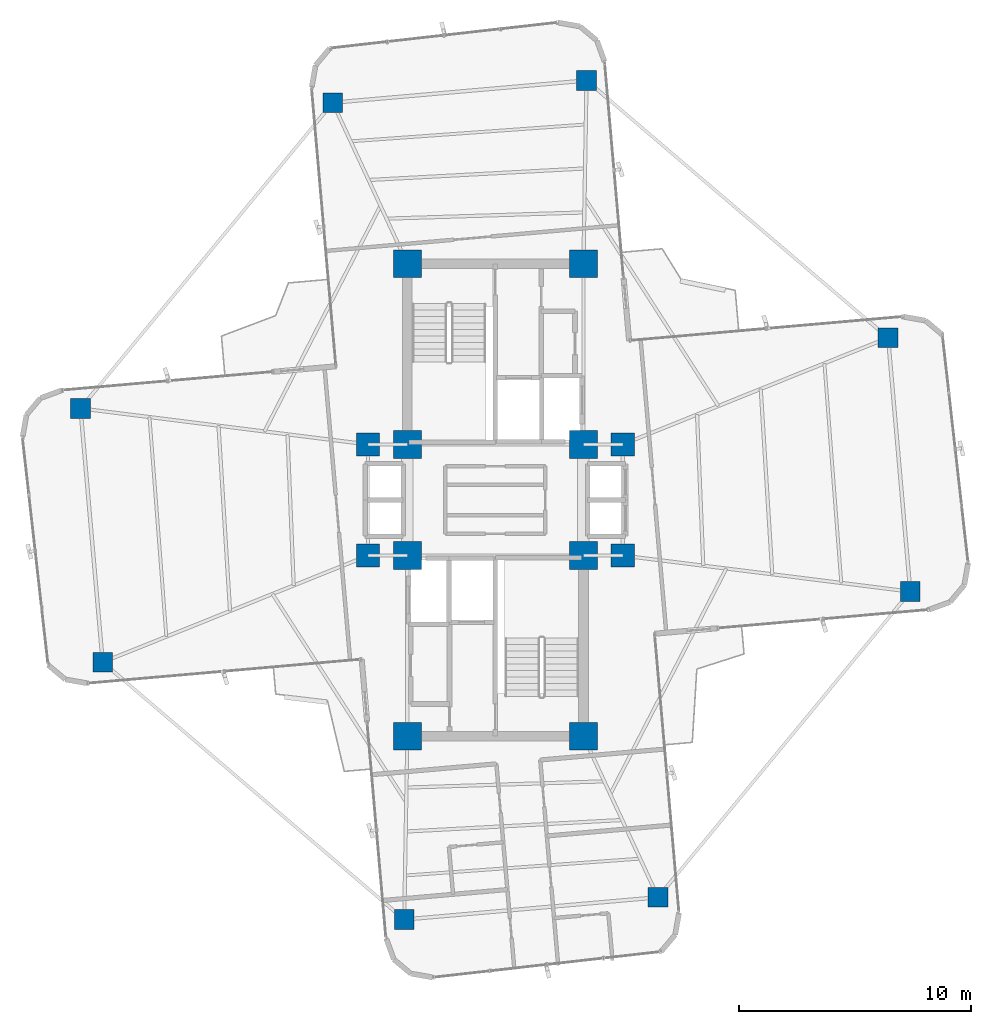
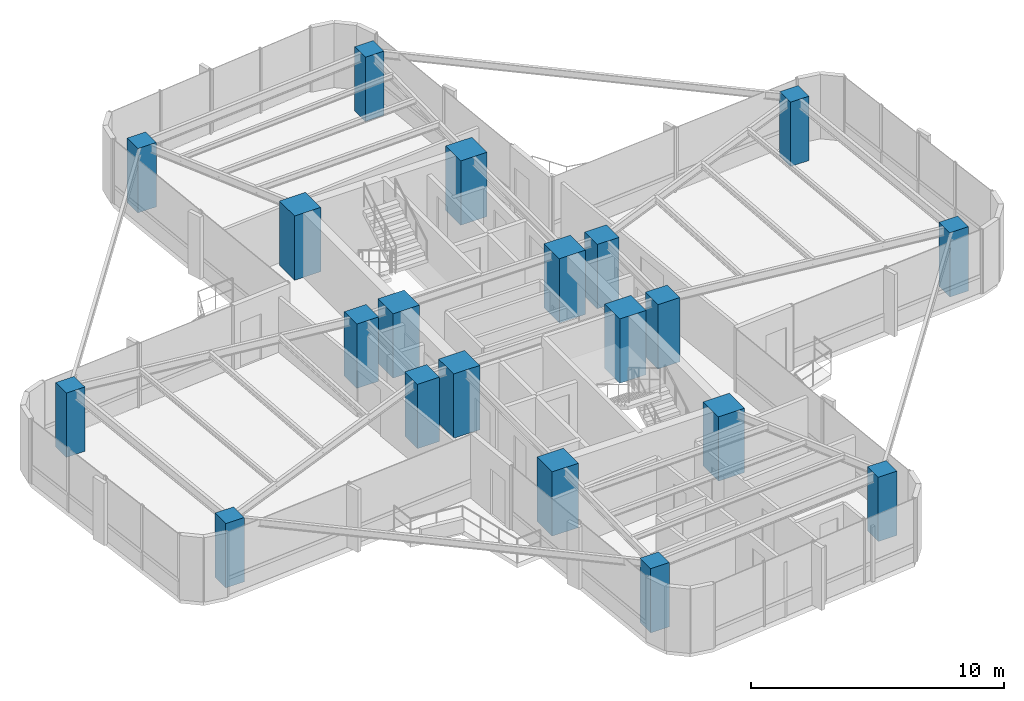
# One storey, part 1 of 24: 20 columns.
"""IFC4 building model written with IfcOpenShell, lengths in metres."""

from ifc_helpers import new_model, si_unit, direction, frame, origin, origin_2d, place, context, subcontext, project, spatial, rectangle, extrude, source, transform, mapped, material, material_profile, profile_set, type_object, element, save


model = new_model("IFC4")

# Units and contexts
model_context = context("Model", 3, precision=1e-05, world=origin(), true_north=direction((0.0, 1.0)))
body_context = subcontext(model_context, "Body", "Model", "MODEL_VIEW")
ifc_project = project(units=[si_unit("LENGTHUNIT", "METRE"), si_unit("AREAUNIT", "SQUARE_METRE"), si_unit("VOLUMEUNIT", "CUBIC_METRE"), si_unit("PLANEANGLEUNIT", "RADIAN"), si_unit("MASSUNIT", "GRAM", prefix="KILO")], contexts=[model_context])

# Site, building, storey
site_placement = place(None, origin())
site = spatial("IfcSite", under=ifc_project, at=site_placement, CompositionType="ELEMENT")
building_placement = place(site_placement, origin())
building = spatial("IfcBuilding", under=site, at=building_placement, Name="Sahyath Konkavel Grand Hotel", CompositionType="ELEMENT")
storey_placement = place(building_placement, frame((0.0, 0.0, 185.25)))
storey = spatial("IfcBuildingStorey", under=building, at=storey_placement, Name="L51", CompositionType="ELEMENT", Elevation=185.25)

# Columns
ifc_material_1 = material(Name="Concrete C50/60", Category="concrete")
ifc_material_profile_1 = material_profile(ifc_material_1, rectangle(XDim=1.199951171875, YDim=1.199951171875, at=origin_2d()), Name="RC 1200x1200")
ifc_profile_set_1 = profile_set([ifc_material_profile_1], Name="Concrete C50/60")
column_type_1 = type_object("IfcColumnType", Name="COL-RC1200", PredefinedType="COLUMN", material=ifc_profile_set_1)
shared_shape_1 = source(origin(), body_context, "Body", "SweptSolid", [
    extrude(rectangle(XDim=1.199951171875, YDim=1.199951171875, at=origin_2d()), origin(), (0.0, 0.0, 1.0), 3.110107421875),
])
for number, where, z_axis, x_axis, name in (
    (1, (-3.800048828125, 2.39990234375, 0.0), (0.0, 0.0, 1.0), (1.0, 0.0, 0.0), "L51 Core Boundary Column NC-SW"),
    (2, (3.800048828125, 2.39990234375, 0.0), (0.0, 0.0, 1.0), (1.0, 0.0, 0.0), "L51 Core Boundary Column NC-SE"),
    (3, (-3.800048828125, 10.199951171875, 0.0), (0.0, 0.0, 1.0), (1.0, 0.0, 0.0), "L51 Core Boundary Column NC-NW"),
    (4, (3.800048828125, 10.199951171875, 0.0), (0.0, 0.0, 1.0), (1.0, 0.0, 0.0), "L51 Core Boundary Column NC-NE"),
    (5, (-3.800048828125, -2.39990234375, 0.0), (0.0, 0.0, 1.0), (1.0, 0.0, 0.0), "L51 Core Boundary Column SC-NW"),
    (6, (3.800048828125, -2.39990234375, 0.0), (0.0, 0.0, 1.0), (1.0, 0.0, 0.0), "L51 Core Boundary Column SC-NE"),
    (7, (-3.800048828125, -10.199951171875, 0.0), (0.0, 0.0, 1.0), (1.0, 0.0, 0.0), "L51 Core Boundary Column SC-SW"),
    (8, (3.800048828125, -10.199951171875, 0.0), (0.0, 0.0, 1.0), (1.0, 0.0, 0.0), "L51 Core Boundary Column SC-SE"),
):
    element("IfcColumn", number, at=place(storey_placement, frame(where, z_axis=z_axis, x_axis=x_axis)), inside=storey, type_object=column_type_1, Name=name, PredefinedType="COLUMN", context=body_context, shape_type="MappedRepresentation", body=[
        mapped(shared_shape_1, transform((0.0, 0.0, 0.0), scale=1.0)),
    ])
ifc_material_profile_2 = material_profile(ifc_material_1, rectangle(XDim=1.0, YDim=1.0, at=origin_2d()), Name="RC 1000x1000")
ifc_profile_set_2 = profile_set([ifc_material_profile_2], Name="Concrete C50/60")
column_type_2 = type_object("IfcColumnType", Name="COL-RC1000", PredefinedType="COLUMN", material=ifc_profile_set_2)
shared_shape_2 = source(origin(), body_context, "Body", "SweptSolid", [
    extrude(rectangle(XDim=1.0, YDim=1.0, at=origin_2d()), origin(), (0.0, 0.0, 1.0), 3.110107421875),
])
for number, where, z_axis, x_axis, name in (
    (9, (5.5, 2.39990234375, 0.0), (0.0, 0.0, 1.0), (1.0, 0.0, 0.0), "L51 Central Spine Column HB-NE"),
    (10, (-5.5, 2.39990234375, 0.0), (0.0, 0.0, 1.0), (1.0, 0.0, 0.0), "L51 Central Spine Column HB-NW"),
    (11, (5.5, -2.39990234375, 0.0), (0.0, 0.0, 1.0), (1.0, 0.0, 0.0), "L51 Central Spine Column HB-SE"),
    (12, (-5.5, -2.39990234375, 0.0), (0.0, 0.0, 1.0), (1.0, 0.0, 0.0), "L51 Central Spine Column HB-SW"),
):
    element("IfcColumn", number, at=place(storey_placement, frame(where, z_axis=z_axis, x_axis=x_axis)), inside=storey, type_object=column_type_2, Name=name, PredefinedType="COLUMN", context=body_context, shape_type="MappedRepresentation", body=[
        mapped(shared_shape_2, transform((0.0, 0.0, 0.0), scale=1.0)),
    ])
ifc_material_2 = material(Name="Concrete C40/50", Category="concrete")
ifc_material_profile_3 = material_profile(ifc_material_2, rectangle(XDim=0.85009765625, YDim=0.85009765625, at=origin_2d()), Name="RC 850x850")
ifc_profile_set_3 = profile_set([ifc_material_profile_3], Name="Concrete C40/50")
column_type_3 = type_object("IfcColumnType", Name="COL-RC850", PredefinedType="COLUMN", material=ifc_profile_set_3)
shared_shape_3 = source(origin(), body_context, "Body", "SweptSolid", [
    extrude(rectangle(XDim=0.85009765625, YDim=0.85009765625, at=origin_2d()), origin(), (0.0, 0.0, 1.0), 3.110107421875),
])
for number, where, z_axis, x_axis, name in (
    (13, (17.912841796875, -3.953857421875, 0.0), (0.0, 0.0, 1.0), (1.0, 0.0, 0.0), "L51 Cruciform Wing Column WC-EA"),
    (14, (16.9541015625, 7.00439453125, 0.0), (0.0, 0.0, 1.0), (1.0, 0.0, 0.0), "L51 Cruciform Wing Column WC-EB"),
    (15, (3.936279296875, 18.112060546875, 0.0), (0.0, 0.0, 1.0), (1.0, 0.0, 0.0), "L51 Cruciform Wing Column WC-NA"),
    (16, (-7.021728515625, 17.1533203125, 0.0), (0.0, 0.0, 1.0), (1.0, 0.0, 0.0), "L51 Cruciform Wing Column WC-NB"),
    (17, (-17.912841796875, 3.953857421875, 0.0), (0.0, 0.0, 1.0), (1.0, 0.0, 0.0), "L51 Cruciform Wing Column WC-WA"),
    (18, (-16.9541015625, -7.00439453125, 0.0), (0.0, 0.0, 1.0), (1.0, 0.0, 0.0), "L51 Cruciform Wing Column WC-WB"),
    (19, (-3.936279296875, -18.112060546875, 0.0), (0.0, 0.0, 1.0), (1.0, 0.0, 0.0), "L51 Cruciform Wing Column WC-SA"),
    (20, (7.021728515625, -17.1533203125, 0.0), (0.0, 0.0, 1.0), (1.0, 0.0, 0.0), "L51 Cruciform Wing Column WC-SB"),
):
    element("IfcColumn", number, at=place(storey_placement, frame(where, z_axis=z_axis, x_axis=x_axis)), inside=storey, type_object=column_type_3, Name=name, PredefinedType="COLUMN", context=body_context, shape_type="MappedRepresentation", body=[
        mapped(shared_shape_3, transform((0.0, 0.0, 0.0), scale=1.0)),
    ])

save(model, "model.ifc")
